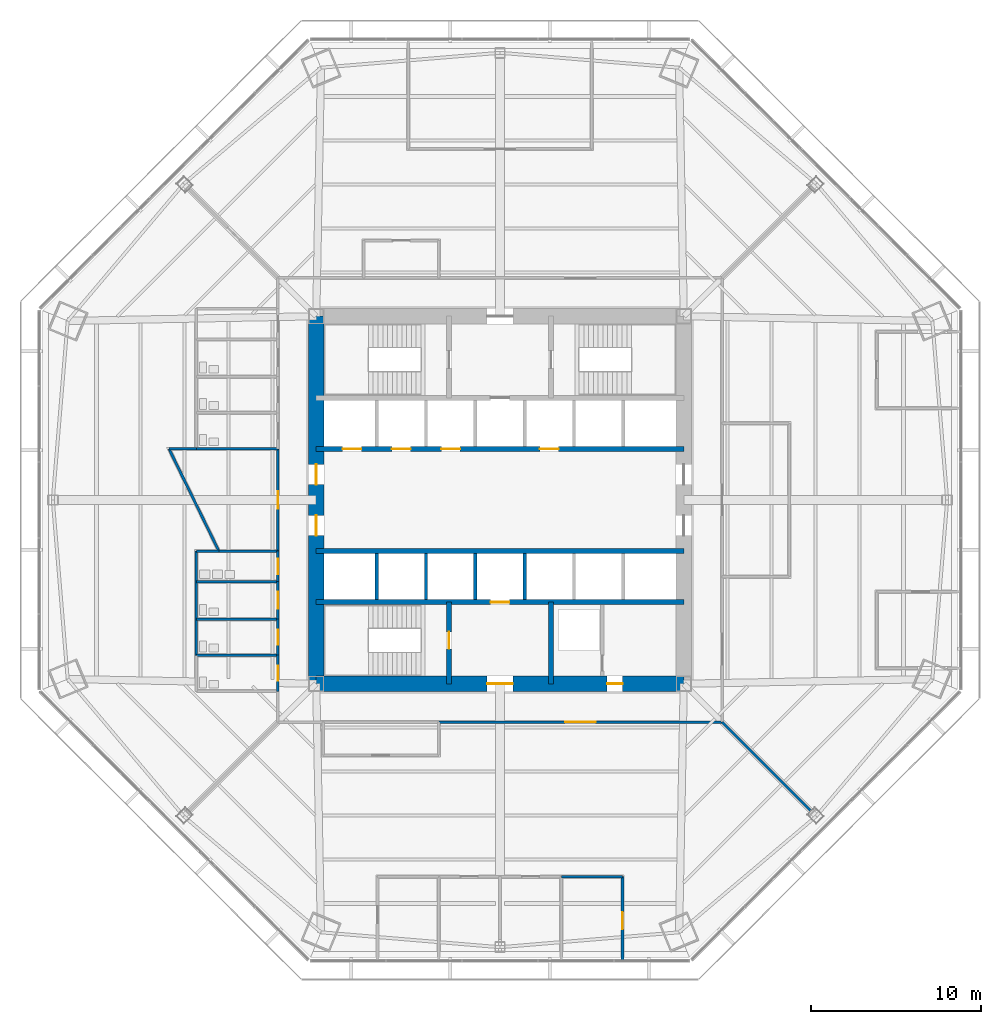
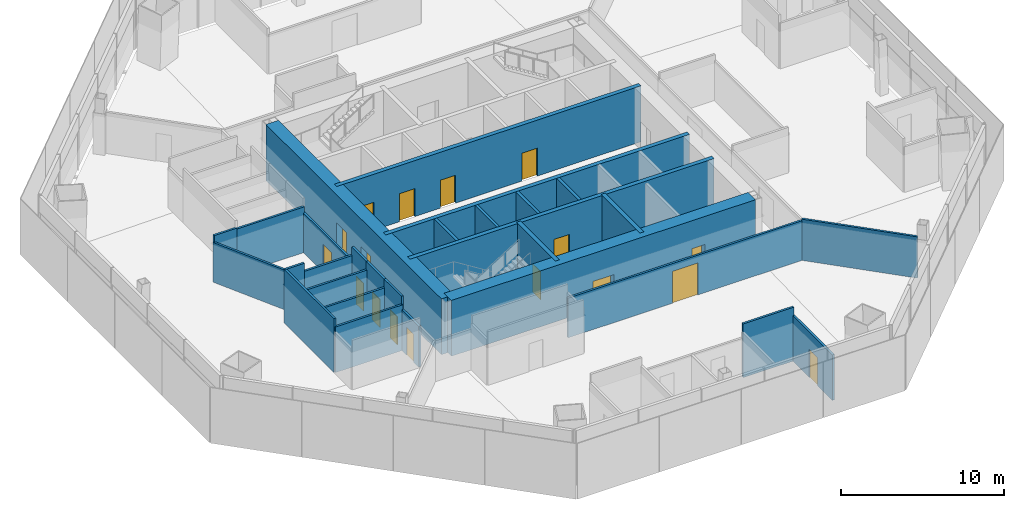
# One storey, part 9 of 14: 29 walls, 17 doors, 17 openings.
"""IFC4 building model written with IfcOpenShell, lengths in metres."""

from ifc_helpers import new_model, si_unit, direction, frame, frame_2d, origin, place, context, subcontext, project, spatial, rectangle, extrude, material, layer, layer_set, type_object, element, fill, save


model = new_model("IFC4")

# Units and contexts
model_context = context("Model", 3, precision=1e-05, world=origin(), true_north=direction((0.0, 1.0)))
body_context = subcontext(model_context, "Body", "Model", "MODEL_VIEW")
ifc_project = project(units=[si_unit("LENGTHUNIT", "METRE"), si_unit("AREAUNIT", "SQUARE_METRE"), si_unit("VOLUMEUNIT", "CUBIC_METRE"), si_unit("PLANEANGLEUNIT", "RADIAN"), si_unit("MASSUNIT", "GRAM", prefix="KILO")], contexts=[model_context])

# Site, building, storey
site_placement = place(None, origin())
site = spatial("IfcSite", under=ifc_project, at=site_placement, CompositionType="ELEMENT")
building_placement = place(site_placement, origin())
building = spatial("IfcBuilding", under=site, at=building_placement, Name="Mashrafa Tower", CompositionType="ELEMENT")
storey_placement = place(building_placement, frame((0.0, 0.0, 33.0)))
storey = spatial("IfcBuildingStorey", under=building, at=storey_placement, Name="L06", CompositionType="ELEMENT", Elevation=33.0)

# Wall, openings, doors
ifc_material_1 = material(Name="Concrete C60/75", Category="concrete")
ifc_layer_1 = layer(ifc_material_1, 0.300048828125)
ifc_layer_set_1 = layer_set([ifc_layer_1], Name="Core wall 300 C60/75")
wall_type_1 = type_object("IfcWallType", Name="Core wall 300 C60/75", PredefinedType="SOLIDWALL", material=ifc_layer_set_1)
wall_1_placement = place(storey_placement, frame((-10.800048828125, 3.0, 0.0), z_axis=(0.0, 0.0, 1.0), x_axis=(1.0, 0.0, 0.0)))
wall_1 = element("IfcWall", 1, at=wall_1_placement, inside=storey, type_object=wall_type_1, Name="Core wall CH-N L06", PredefinedType="SOLIDWALL", context=body_context, shape_type="SweptSolid", body=[
    extrude(rectangle(XDim=21.60009765625, YDim=0.300048828125, at=frame_2d((10.800048828125, 0.0))), origin(), (0.0, 0.0, 1.0), 4.199951171875),
])
opening_1_placement = place(wall_1_placement, frame((1.550048828125, 0.0, 0.0)))
opening_1 = element("IfcOpeningElement", 2, at=opening_1_placement, cuts=wall_1, Name="Opening 06.A1", PredefinedType="OPENING", context=body_context, shape_type="SweptSolid", body=[
    extrude(rectangle(XDim=1.10009765625, YDim=2.10009765625, at=frame_2d((0.550048828125, 1.050048828125))), frame((0.0, 0.159912109375, 0.0), z_axis=(0.0, -1.0, 0.0), x_axis=(1.0, 0.0, 0.0)), (0.0, 0.0, 1.0), 0.320068359375),
])
opening_2_placement = place(wall_1_placement, frame((4.449951171875, 0.0, 0.0)))
opening_2 = element("IfcOpeningElement", 3, at=opening_2_placement, cuts=wall_1, Name="Opening 06.A2", PredefinedType="OPENING", context=body_context, shape_type="SweptSolid", body=[
    extrude(rectangle(XDim=1.10009765625, YDim=2.10009765625, at=frame_2d((0.550048828125, 1.050048828125))), frame((0.0, 0.159912109375, 0.0), z_axis=(0.0, -1.0, 0.0), x_axis=(1.0, 0.0, 0.0)), (0.0, 0.0, 1.0), 0.320068359375),
])
opening_3_placement = place(wall_1_placement, frame((7.35009765625, 0.0, 0.0)))
opening_3 = element("IfcOpeningElement", 4, at=opening_3_placement, cuts=wall_1, Name="Opening 06.A3", PredefinedType="OPENING", context=body_context, shape_type="SweptSolid", body=[
    extrude(rectangle(XDim=1.10009765625, YDim=2.10009765625, at=frame_2d((0.550048828125, 1.050048828125))), frame((0.0, 0.159912109375, 0.0), z_axis=(0.0, -1.0, 0.0), x_axis=(1.0, 0.0, 0.0)), (0.0, 0.0, 1.0), 0.320068359375),
])
opening_4_placement = place(wall_1_placement, frame((13.14990234375, 0.0, 0.0)))
opening_4 = element("IfcOpeningElement", 5, at=opening_4_placement, cuts=wall_1, Name="Opening 06.A4", PredefinedType="OPENING", context=body_context, shape_type="SweptSolid", body=[
    extrude(rectangle(XDim=1.10009765625, YDim=2.10009765625, at=frame_2d((0.550048828125, 1.050048828125))), frame((0.0, 0.159912109375, 0.0), z_axis=(0.0, -1.0, 0.0), x_axis=(1.0, 0.0, 0.0)), (0.0, 0.0, 1.0), 0.320068359375),
])
ifc_material_2 = material(Name="Steel door", Category="steel")
door_type_1 = type_object("IfcDoorType", Name="Lift landing door 1100 x 2100 90 min", OperationType="DOUBLE_DOOR_SLIDING", PredefinedType="DOOR", material=ifc_material_2)
door_1_placement = place(opening_1_placement, origin())
door_1 = element("IfcDoor", 6, at=door_1_placement, inside=storey, type_object=door_type_1, Name="Lift landing door A1 L06", OperationType="DOUBLE_DOOR_SLIDING", OverallHeight=2.10009765625, OverallWidth=1.10009765625, PredefinedType="DOOR", context=body_context, shape_type="SweptSolid", body=[
    extrude(rectangle(XDim=1.10009765625, YDim=2.10009765625, at=frame_2d((0.550048828125, 1.050048828125))), frame((0.0, 0.02490234375, 0.0), z_axis=(0.0, -1.0, 0.0), x_axis=(1.0, 0.0, 0.0)), (0.0, 0.0, 1.0), 0.050048828125),
])
fill(opening_1, door_1)
door_2_placement = place(opening_2_placement, origin())
door_2 = element("IfcDoor", 7, at=door_2_placement, inside=storey, type_object=door_type_1, Name="Lift landing door A2 L06", OperationType="DOUBLE_DOOR_SLIDING", OverallHeight=2.10009765625, OverallWidth=1.10009765625, PredefinedType="DOOR", context=body_context, shape_type="SweptSolid", body=[
    extrude(rectangle(XDim=1.10009765625, YDim=2.10009765625, at=frame_2d((0.550048828125, 1.050048828125))), frame((0.0, 0.02490234375, 0.0), z_axis=(0.0, -1.0, 0.0), x_axis=(1.0, 0.0, 0.0)), (0.0, 0.0, 1.0), 0.050048828125),
])
fill(opening_2, door_2)
door_3_placement = place(opening_3_placement, origin())
door_3 = element("IfcDoor", 8, at=door_3_placement, inside=storey, type_object=door_type_1, Name="Lift landing door A3 L06", OperationType="DOUBLE_DOOR_SLIDING", OverallHeight=2.10009765625, OverallWidth=1.10009765625, PredefinedType="DOOR", context=body_context, shape_type="SweptSolid", body=[
    extrude(rectangle(XDim=1.10009765625, YDim=2.10009765625, at=frame_2d((0.550048828125, 1.050048828125))), frame((0.0, 0.02490234375, 0.0), z_axis=(0.0, -1.0, 0.0), x_axis=(1.0, 0.0, 0.0)), (0.0, 0.0, 1.0), 0.050048828125),
])
fill(opening_3, door_3)
door_4_placement = place(opening_4_placement, origin())
door_4 = element("IfcDoor", 9, at=door_4_placement, inside=storey, type_object=door_type_1, Name="Lift landing door A4 L06", OperationType="DOUBLE_DOOR_SLIDING", OverallHeight=2.10009765625, OverallWidth=1.10009765625, PredefinedType="DOOR", context=body_context, shape_type="SweptSolid", body=[
    extrude(rectangle(XDim=1.10009765625, YDim=2.10009765625, at=frame_2d((0.550048828125, 1.050048828125))), frame((0.0, 0.02490234375, 0.0), z_axis=(0.0, -1.0, 0.0), x_axis=(1.0, 0.0, 0.0)), (0.0, 0.0, 1.0), 0.050048828125),
])
fill(opening_4, door_4)

# Wall
wall_2_placement = place(storey_placement, frame((-10.800048828125, -3.0, 0.0), z_axis=(0.0, 0.0, 1.0), x_axis=(1.0, 0.0, 0.0)))
element("IfcWall", 10, at=wall_2_placement, inside=storey, type_object=wall_type_1, Name="Core wall CH-S L06", PredefinedType="SOLIDWALL", context=body_context, shape_type="SweptSolid", body=[
    extrude(rectangle(XDim=21.60009765625, YDim=0.300048828125, at=frame_2d((10.800048828125, 0.0))), origin(), (0.0, 0.0, 1.0), 4.199951171875),
])

# Wall, opening, door
wall_3_placement = place(storey_placement, frame((-10.800048828125, -6.0, 0.0), z_axis=(0.0, 0.0, 1.0), x_axis=(1.0, 0.0, 0.0)))
wall_3 = element("IfcWall", 11, at=wall_3_placement, inside=storey, type_object=wall_type_1, Name="Core wall CB-S L06", PredefinedType="SOLIDWALL", context=body_context, shape_type="SweptSolid", body=[
    extrude(rectangle(XDim=21.60009765625, YDim=0.300048828125, at=frame_2d((10.800048828125, 0.0))), origin(), (0.0, 0.0, 1.0), 4.199951171875),
])
opening_5_placement = place(wall_3_placement, frame((10.25, 0.0, 0.0)))
opening_5 = element("IfcOpeningElement", 12, at=opening_5_placement, cuts=wall_3, Name="Opening 06.F2", PredefinedType="OPENING", context=body_context, shape_type="SweptSolid", body=[
    extrude(rectangle(XDim=1.10009765625, YDim=2.10009765625, at=frame_2d((0.550048828125, 1.050048828125))), frame((0.0, 0.159912109375, 0.0), z_axis=(0.0, -1.0, 0.0), x_axis=(1.0, 0.0, 0.0)), (0.0, 0.0, 1.0), 0.320068359375),
])
door_5_placement = place(opening_5_placement, origin())
door_5 = element("IfcDoor", 13, at=door_5_placement, inside=storey, type_object=door_type_1, Name="Lift landing door F2 L06", OperationType="DOUBLE_DOOR_SLIDING", OverallHeight=2.10009765625, OverallWidth=1.10009765625, PredefinedType="DOOR", context=body_context, shape_type="SweptSolid", body=[
    extrude(rectangle(XDim=1.10009765625, YDim=2.10009765625, at=frame_2d((0.550048828125, 1.050048828125))), frame((0.0, 0.02490234375, 0.0), z_axis=(0.0, -1.0, 0.0), x_axis=(1.0, 0.0, 0.0)), (0.0, 0.0, 1.0), 0.050048828125),
])
fill(opening_5, door_5)

wall_4_placement = place(storey_placement, frame((-3.0, -6.0, 0.0), z_axis=(0.0, 0.0, 1.0), x_axis=(0.0, -1.0, 0.0)))
wall_4 = element("IfcWall", 14, at=wall_4_placement, inside=storey, type_object=wall_type_1, Name="Core wall CX-SW L06", PredefinedType="SOLIDWALL", context=body_context, shape_type="SweptSolid", body=[
    extrude(rectangle(XDim=4.800048828125, YDim=0.300048828125, at=frame_2d((2.39990234375, 0.0))), origin(), (0.0, 0.0, 1.0), 4.199951171875),
])
opening_6_placement = place(wall_4_placement, frame((1.75, 0.0, 0.0)))
opening_6 = element("IfcOpeningElement", 15, at=opening_6_placement, cuts=wall_4, Name="Opening 06.032", PredefinedType="OPENING", context=body_context, shape_type="SweptSolid", body=[
    extrude(rectangle(XDim=1.0, YDim=2.10009765625, at=frame_2d((0.5, 1.050048828125))), frame((0.0, 0.159912109375, 0.0), z_axis=(0.0, -1.0, 0.0), x_axis=(1.0, 0.0, 0.0)), (0.0, 0.0, 1.0), 0.320068359375),
])
ifc_material_3 = material(Name="Steel door", Category="steel")
door_type_2 = type_object("IfcDoorType", Name="Stair door 1000 x 2100 90 min", OperationType="USERDEFINED", PredefinedType="DOOR", material=ifc_material_3)
door_6_placement = place(opening_6_placement, frame((1.0, 0.0, 0.0), z_axis=(0.0, 0.0, 1.0), x_axis=(-1.0, 0.0, 0.0)))
door_6 = element("IfcDoor", 16, at=door_6_placement, inside=storey, type_object=door_type_2, Name="Stair S3 door L06", OperationType="SINGLE_SWING_RIGHT", OverallHeight=2.10009765625, OverallWidth=1.0, PredefinedType="DOOR", context=body_context, shape_type="SweptSolid", body=[
    extrude(rectangle(XDim=1.0, YDim=2.10009765625, at=frame_2d((0.5, 1.050048828125))), frame((0.0, 0.02490234375, 0.0), z_axis=(0.0, -1.0, 0.0), x_axis=(1.0, 0.0, 0.0)), (0.0, 0.0, 1.0), 0.050048828125),
])
fill(opening_6, door_6)

# Wall
wall_5_placement = place(storey_placement, frame((3.0, -6.0, 0.0), z_axis=(0.0, 0.0, 1.0), x_axis=(0.0, -1.0, 0.0)))
element("IfcWall", 17, at=wall_5_placement, inside=storey, type_object=wall_type_1, Name="Core wall CX-SE L06", PredefinedType="SOLIDWALL", context=body_context, shape_type="SweptSolid", body=[
    extrude(rectangle(XDim=4.800048828125, YDim=0.300048828125, at=frame_2d((2.39990234375, 0.0))), origin(), (0.0, 0.0, 1.0), 4.199951171875),
])

# Wall, openings, doors
ifc_material_4 = material(Name="Concrete C60/75", Category="concrete")
ifc_layer_2 = layer(ifc_material_4, 0.89990234375)
ifc_layer_set_2 = layer_set([ifc_layer_2], Name="Core wall 900 C60/75")
wall_type_2 = type_object("IfcWallType", Name="Core wall 900 C60/75", PredefinedType="SOLIDWALL", material=ifc_layer_set_2)
wall_6_placement = place(storey_placement, frame((-10.800048828125, -10.800048828125, 0.0), z_axis=(0.0, 0.0, 1.0), x_axis=(1.0, 0.0, 0.0)))
wall_6 = element("IfcWall", 18, at=wall_6_placement, inside=storey, type_object=wall_type_2, Name="Core wall CW-S L06", PredefinedType="SOLIDWALL", context=body_context, shape_type="SweptSolid", body=[
    extrude(rectangle(XDim=21.60009765625, YDim=0.89990234375, at=frame_2d((10.800048828125, 0.0))), origin(), (0.0, 0.0, 1.0), 4.199951171875),
])
opening_7_placement = place(wall_6_placement, frame((10.050048828125, 0.0, 0.0)))
opening_7 = element("IfcOpeningElement", 19, at=opening_7_placement, cuts=wall_6, Name="Opening 06.029", PredefinedType="OPENING", context=body_context, shape_type="SweptSolid", body=[
    extrude(rectangle(XDim=1.5, YDim=2.10009765625, at=frame_2d((0.75, 1.050048828125))), frame((0.0, 0.4599609375, 0.0), z_axis=(0.0, -1.0, 0.0), x_axis=(1.0, 0.0, 0.0)), (0.0, 0.0, 1.0), 0.919921875),
])
opening_8_placement = place(wall_6_placement, frame((17.10009765625, 0.0, 0.0)))
opening_8 = element("IfcOpeningElement", 20, at=opening_8_placement, cuts=wall_6, Name="Opening 06.033", PredefinedType="OPENING", context=body_context, shape_type="SweptSolid", body=[
    extrude(rectangle(XDim=0.89990234375, YDim=2.10009765625, at=frame_2d((0.449951171875, 1.050048828125))), frame((0.0, 0.4599609375, 0.0), z_axis=(0.0, -1.0, 0.0), x_axis=(1.0, 0.0, 0.0)), (0.0, 0.0, 1.0), 0.919921875),
])
ifc_material_5 = material(Name="Steel door", Category="steel")
door_type_3 = type_object("IfcDoorType", Name="Lobby door pair 1500 x 2100 90 min", OperationType="DOUBLE_DOOR_SINGLE_SWING", PredefinedType="DOOR", material=ifc_material_5)
door_7_placement = place(opening_7_placement, origin())
door_7 = element("IfcDoor", 21, at=door_7_placement, inside=storey, type_object=door_type_3, Name="Fire-fighting lobby F2 door L06", OperationType="DOUBLE_DOOR_SINGLE_SWING", OverallHeight=2.10009765625, OverallWidth=1.5, PredefinedType="DOOR", context=body_context, shape_type="SweptSolid", body=[
    extrude(rectangle(XDim=1.5, YDim=2.10009765625, at=frame_2d((0.75, 1.050048828125))), frame((0.0, 0.02490234375, 0.0), z_axis=(0.0, -1.0, 0.0), x_axis=(1.0, 0.0, 0.0)), (0.0, 0.0, 1.0), 0.050048828125),
])
fill(opening_7, door_7)
ifc_material_6 = material(Name="Steel door", Category="steel")
door_type_4 = type_object("IfcDoorType", Name="Service door 900 x 2100 90 min", OperationType="USERDEFINED", PredefinedType="DOOR", material=ifc_material_6)
door_8_placement = place(opening_8_placement, origin())
door_8 = element("IfcDoor", 22, at=door_8_placement, inside=storey, type_object=door_type_4, Name="Communications Room L06 door", OperationType="SINGLE_SWING_LEFT", OverallHeight=2.10009765625, OverallWidth=0.89990234375, PredefinedType="DOOR", context=body_context, shape_type="SweptSolid", body=[
    extrude(rectangle(XDim=0.89990234375, YDim=2.10009765625, at=frame_2d((0.449951171875, 1.050048828125))), frame((0.0, 0.02490234375, 0.0), z_axis=(0.0, -1.0, 0.0), x_axis=(1.0, 0.0, 0.0)), (0.0, 0.0, 1.0), 0.050048828125),
])
fill(opening_8, door_8)

wall_7_placement = place(storey_placement, frame((-10.800048828125, 10.800048828125, 0.0), z_axis=(0.0, 0.0, 1.0), x_axis=(0.0, -1.0, 0.0)))
wall_7 = element("IfcWall", 23, at=wall_7_placement, inside=storey, type_object=wall_type_2, Name="Core wall CW-W L06", PredefinedType="SOLIDWALL", context=body_context, shape_type="SweptSolid", body=[
    extrude(rectangle(XDim=21.60009765625, YDim=0.89990234375, at=frame_2d((10.800048828125, 0.0))), origin(), (0.0, 0.0, 1.0), 4.199951171875),
])
opening_9_placement = place(wall_7_placement, frame((8.699951171875, 0.0, 0.0)))
opening_9 = element("IfcOpeningElement", 24, at=opening_9_placement, cuts=wall_7, Name="Opening 06.025", PredefinedType="OPENING", context=body_context, shape_type="SweptSolid", body=[
    extrude(rectangle(XDim=1.199951171875, YDim=2.10009765625, at=frame_2d((0.60009765625, 1.050048828125))), frame((0.0, 0.4599609375, 0.0), z_axis=(0.0, -1.0, 0.0), x_axis=(1.0, 0.0, 0.0)), (0.0, 0.0, 1.0), 0.919921875),
])
opening_10_placement = place(wall_7_placement, frame((11.699951171875, 0.0, 0.0)))
opening_10 = element("IfcOpeningElement", 25, at=opening_10_placement, cuts=wall_7, Name="Opening 06.027", PredefinedType="OPENING", context=body_context, shape_type="SweptSolid", body=[
    extrude(rectangle(XDim=1.199951171875, YDim=2.10009765625, at=frame_2d((0.60009765625, 1.050048828125))), frame((0.0, 0.4599609375, 0.0), z_axis=(0.0, -1.0, 0.0), x_axis=(1.0, 0.0, 0.0)), (0.0, 0.0, 1.0), 0.919921875),
])
ifc_material_7 = material(Name="Steel door", Category="steel")
door_type_5 = type_object("IfcDoorType", Name="Lift hall door 1200 x 2100 90 min", OperationType="USERDEFINED", PredefinedType="DOOR", material=ifc_material_7)
door_9_placement = place(opening_9_placement, frame((1.199951171875, 0.0, 0.0), z_axis=(0.0, 0.0, 1.0), x_axis=(-1.0, 0.0, 0.0)))
door_9 = element("IfcDoor", 26, at=door_9_placement, inside=storey, type_object=door_type_5, Name="Lift hall door west L06", OperationType="SINGLE_SWING_RIGHT", OverallHeight=2.10009765625, OverallWidth=1.199951171875, PredefinedType="DOOR", context=body_context, shape_type="SweptSolid", body=[
    extrude(rectangle(XDim=1.199951171875, YDim=2.10009765625, at=frame_2d((0.60009765625, 1.050048828125))), frame((0.0, 0.02490234375, 0.0), z_axis=(0.0, -1.0, 0.0), x_axis=(1.0, 0.0, 0.0)), (0.0, 0.0, 1.0), 0.050048828125),
])
fill(opening_9, door_9)
door_10_placement = place(opening_10_placement, frame((1.199951171875, 0.0, 0.0), z_axis=(0.0, 0.0, 1.0), x_axis=(-1.0, 0.0, 0.0)))
door_10 = element("IfcDoor", 27, at=door_10_placement, inside=storey, type_object=door_type_5, Name="Lift hall door west L06", OperationType="SINGLE_SWING_LEFT", OverallHeight=2.10009765625, OverallWidth=1.199951171875, PredefinedType="DOOR", context=body_context, shape_type="SweptSolid", body=[
    extrude(rectangle(XDim=1.199951171875, YDim=2.10009765625, at=frame_2d((0.60009765625, 1.050048828125))), frame((0.0, 0.02490234375, 0.0), z_axis=(0.0, -1.0, 0.0), x_axis=(1.0, 0.0, 0.0)), (0.0, 0.0, 1.0), 0.050048828125),
])
fill(opening_10, door_10)

# Wall, opening, door
ifc_material_8 = material(Name="Gypsum board on steel studs", Category="steel")
ifc_layer_3 = layer(ifc_material_8, 0.14990234375)
ifc_layer_set_3 = layer_set([ifc_layer_3], Name="Corridor partition 150 1 hr")
wall_type_3 = type_object("IfcWallType", Name="Corridor partition 150 1 hr", PredefinedType="PARTITIONING", material=ifc_layer_set_3)
wall_8_placement = place(storey_placement, frame((-13.050048828125, -9.1240234375, 0.0), z_axis=(0.0, 0.0, 1.0), x_axis=(0.0, -1.0, 0.0)))
wall_8 = element("IfcWall", 28, at=wall_8_placement, inside=storey, type_object=wall_type_3, Name="Corridor wall L06-005", PredefinedType="PARTITIONING", context=body_context, shape_type="SweptSolid", body=[
    extrude(rectangle(XDim=2.126953125, YDim=0.14990234375, at=frame_2d((1.0634765625, 0.0))), origin(), (0.0, 0.0, 1.0), 3.06494140625),
])
opening_11_placement = place(wall_8_placement, frame((0.613525390625, 0.0, 0.0)))
opening_11 = element("IfcOpeningElement", 29, at=opening_11_placement, cuts=wall_8, Name="Opening 06.005", PredefinedType="OPENING", context=body_context, shape_type="SweptSolid", body=[
    extrude(rectangle(XDim=0.89990234375, YDim=2.10009765625, at=frame_2d((0.449951171875, 1.050048828125))), frame((0.0, 0.0849609375, 0.0), z_axis=(0.0, -1.0, 0.0), x_axis=(1.0, 0.0, 0.0)), (0.0, 0.0, 1.0), 0.169921875),
])
ifc_material_9 = material(Name="Timber door", Category="wood")
door_type_6 = type_object("IfcDoorType", Name="Toilet door 900 x 2100", OperationType="USERDEFINED", PredefinedType="DOOR", material=ifc_material_9)
door_11_placement = place(opening_11_placement, frame((0.89990234375, 0.0, 0.0), z_axis=(0.0, 0.0, 1.0), x_axis=(-1.0, 0.0, 0.0)))
door_11 = element("IfcDoor", 30, at=door_11_placement, inside=storey, type_object=door_type_6, Name="WC Female L06 S door", OperationType="SINGLE_SWING_RIGHT", OverallHeight=2.10009765625, OverallWidth=0.89990234375, PredefinedType="DOOR", context=body_context, shape_type="SweptSolid", body=[
    extrude(rectangle(XDim=0.89990234375, YDim=2.10009765625, at=frame_2d((0.449951171875, 1.050048828125))), frame((0.0, 0.02490234375, 0.0), z_axis=(0.0, -1.0, 0.0), x_axis=(1.0, 0.0, 0.0)), (0.0, 0.0, 1.0), 0.050048828125),
])
fill(opening_11, door_11)

wall_9_placement = place(storey_placement, frame((-13.050048828125, -6.9990234375, 0.0), z_axis=(0.0, 0.0, 1.0), x_axis=(0.0, -1.0, 0.0)))
wall_9 = element("IfcWall", 31, at=wall_9_placement, inside=storey, type_object=wall_type_3, Name="Corridor wall L06-006", PredefinedType="PARTITIONING", context=body_context, shape_type="SweptSolid", body=[
    extrude(rectangle(XDim=2.126953125, YDim=0.14990234375, at=frame_2d((1.0634765625, 0.0))), origin(), (0.0, 0.0, 1.0), 4.034912109375),
])
opening_12_placement = place(wall_9_placement, frame((0.613525390625, 0.0, 0.0)))
opening_12 = element("IfcOpeningElement", 32, at=opening_12_placement, cuts=wall_9, Name="Opening 06.006", PredefinedType="OPENING", context=body_context, shape_type="SweptSolid", body=[
    extrude(rectangle(XDim=0.89990234375, YDim=2.10009765625, at=frame_2d((0.449951171875, 1.050048828125))), frame((0.0, 0.0849609375, 0.0), z_axis=(0.0, -1.0, 0.0), x_axis=(1.0, 0.0, 0.0)), (0.0, 0.0, 1.0), 0.169921875),
])
door_12_placement = place(opening_12_placement, frame((0.89990234375, 0.0, 0.0), z_axis=(0.0, 0.0, 1.0), x_axis=(-1.0, 0.0, 0.0)))
door_12 = element("IfcDoor", 33, at=door_12_placement, inside=storey, type_object=door_type_6, Name="WC Male L06 S door", OperationType="SINGLE_SWING_RIGHT", OverallHeight=2.10009765625, OverallWidth=0.89990234375, PredefinedType="DOOR", context=body_context, shape_type="SweptSolid", body=[
    extrude(rectangle(XDim=0.89990234375, YDim=2.10009765625, at=frame_2d((0.449951171875, 1.050048828125))), frame((0.0, 0.02490234375, 0.0), z_axis=(0.0, -1.0, 0.0), x_axis=(1.0, 0.0, 0.0)), (0.0, 0.0, 1.0), 0.050048828125),
])
fill(opening_12, door_12)

wall_10_placement = place(storey_placement, frame((-13.050048828125, -4.799072265625, 0.0), z_axis=(0.0, 0.0, 1.0), x_axis=(0.0, -1.0, 0.0)))
wall_10 = element("IfcWall", 34, at=wall_10_placement, inside=storey, type_object=wall_type_3, Name="Corridor wall L06-007", PredefinedType="PARTITIONING", context=body_context, shape_type="SweptSolid", body=[
    extrude(rectangle(XDim=2.201904296875, YDim=0.14990234375, at=frame_2d((1.10107421875, 0.0))), origin(), (0.0, 0.0, 1.0), 4.034912109375),
])
opening_13_placement = place(wall_10_placement, frame((0.60107421875, 0.0, 0.0)))
opening_13 = element("IfcOpeningElement", 35, at=opening_13_placement, cuts=wall_10, Name="Opening 06.007", PredefinedType="OPENING", context=body_context, shape_type="SweptSolid", body=[
    extrude(rectangle(XDim=1.0, YDim=2.10009765625, at=frame_2d((0.5, 1.050048828125))), frame((0.0, 0.0849609375, 0.0), z_axis=(0.0, -1.0, 0.0), x_axis=(1.0, 0.0, 0.0)), (0.0, 0.0, 1.0), 0.169921875),
])
ifc_material_10 = material(Name="Timber door", Category="wood")
door_type_7 = type_object("IfcDoorType", Name="Accessible toilet door 1000 x 2100", OperationType="USERDEFINED", PredefinedType="DOOR", material=ifc_material_10)
door_13_placement = place(opening_13_placement, frame((1.0, 0.0, 0.0), z_axis=(0.0, 0.0, 1.0), x_axis=(-1.0, 0.0, 0.0)))
door_13 = element("IfcDoor", 36, at=door_13_placement, inside=storey, type_object=door_type_7, Name="Accessible WC L06 S door", OperationType="SINGLE_SWING_LEFT", OverallHeight=2.10009765625, OverallWidth=1.0, PredefinedType="DOOR", context=body_context, shape_type="SweptSolid", body=[
    extrude(rectangle(XDim=1.0, YDim=2.10009765625, at=frame_2d((0.5, 1.050048828125))), frame((0.0, 0.02490234375, 0.0), z_axis=(0.0, -1.0, 0.0), x_axis=(1.0, 0.0, 0.0)), (0.0, 0.0, 1.0), 0.050048828125),
])
fill(opening_13, door_13)

wall_11_placement = place(storey_placement, frame((-13.050048828125, -2.9990234375, 0.0), z_axis=(0.0, 0.0, 1.0), x_axis=(0.0, -1.0, 0.0)))
wall_11 = element("IfcWall", 37, at=wall_11_placement, inside=storey, type_object=wall_type_3, Name="Corridor wall L06-008", PredefinedType="PARTITIONING", context=body_context, shape_type="SweptSolid", body=[
    extrude(rectangle(XDim=1.802001953125, YDim=0.14990234375, at=frame_2d((0.90087890625, 0.0))), origin(), (0.0, 0.0, 1.0), 4.034912109375),
])
opening_14_placement = place(wall_11_placement, frame((0.450927734375, 0.0, 0.0)))
opening_14 = element("IfcOpeningElement", 38, at=opening_14_placement, cuts=wall_11, Name="Opening 06.008", PredefinedType="OPENING", context=body_context, shape_type="SweptSolid", body=[
    extrude(rectangle(XDim=0.89990234375, YDim=2.10009765625, at=frame_2d((0.449951171875, 1.050048828125))), frame((0.0, 0.0849609375, 0.0), z_axis=(0.0, -1.0, 0.0), x_axis=(1.0, 0.0, 0.0)), (0.0, 0.0, 1.0), 0.169921875),
])
door_14_placement = place(opening_14_placement, frame((0.89990234375, 0.0, 0.0), z_axis=(0.0, 0.0, 1.0), x_axis=(-1.0, 0.0, 0.0)))
door_14 = element("IfcDoor", 39, at=door_14_placement, inside=storey, type_object=door_type_6, Name="Ablution Room L06 S door", OperationType="SINGLE_SWING_RIGHT", OverallHeight=2.10009765625, OverallWidth=0.89990234375, PredefinedType="DOOR", context=body_context, shape_type="SweptSolid", body=[
    extrude(rectangle(XDim=0.89990234375, YDim=2.10009765625, at=frame_2d((0.449951171875, 1.050048828125))), frame((0.0, 0.02490234375, 0.0), z_axis=(0.0, -1.0, 0.0), x_axis=(1.0, 0.0, 0.0)), (0.0, 0.0, 1.0), 0.050048828125),
])
fill(opening_14, door_14)

wall_12_placement = place(storey_placement, frame((-13.050048828125, 3.0009765625, 0.0), z_axis=(0.0, 0.0, 1.0), x_axis=(0.0, -1.0, 0.0)))
wall_12 = element("IfcWall", 40, at=wall_12_placement, inside=storey, type_object=wall_type_3, Name="Corridor wall L06-009", PredefinedType="PARTITIONING", context=body_context, shape_type="SweptSolid", body=[
    extrude(rectangle(XDim=6.001953125, YDim=0.14990234375, at=frame_2d((3.0009765625, 0.0))), origin(), (0.0, 0.0, 1.0), 2.983642578125),
])
opening_15_placement = place(wall_12_placement, frame((2.5009765625, 0.0, 0.0)))
opening_15 = element("IfcOpeningElement", 41, at=opening_15_placement, cuts=wall_12, Name="Opening 06.009", PredefinedType="OPENING", context=body_context, shape_type="SweptSolid", body=[
    extrude(rectangle(XDim=1.0, YDim=2.10009765625, at=frame_2d((0.5, 1.050048828125))), frame((0.0, 0.0849609375, 0.0), z_axis=(0.0, -1.0, 0.0), x_axis=(1.0, 0.0, 0.0)), (0.0, 0.0, 1.0), 0.169921875),
])
ifc_material_11 = material(Name="Timber door", Category="wood")
door_type_8 = type_object("IfcDoorType", Name="Door 1000 x 2100", OperationType="USERDEFINED", PredefinedType="DOOR", material=ifc_material_11)
door_15_placement = place(opening_15_placement, frame((1.0, 0.0, 0.0), z_axis=(0.0, 0.0, 1.0), x_axis=(-1.0, 0.0, 0.0)))
door_15 = element("IfcDoor", 42, at=door_15_placement, inside=storey, type_object=door_type_8, Name="Musallah Prayer Room 06 door", OperationType="SINGLE_SWING_LEFT", OverallHeight=2.10009765625, OverallWidth=1.0, PredefinedType="DOOR", context=body_context, shape_type="SweptSolid", body=[
    extrude(rectangle(XDim=1.0, YDim=2.10009765625, at=frame_2d((0.5, 1.050048828125))), frame((0.0, 0.02490234375, 0.0), z_axis=(0.0, -1.0, 0.0), x_axis=(1.0, 0.0, 0.0)), (0.0, 0.0, 1.0), 0.050048828125),
])
fill(opening_15, door_15)

wall_13_placement = place(storey_placement, frame((-3.60107421875, -13.050048828125, 0.0), z_axis=(0.0, 0.0, 1.0), x_axis=(1.0, 0.0, 0.0)))
wall_13 = element("IfcWall", 43, at=wall_13_placement, inside=storey, type_object=wall_type_3, Name="Corridor wall L06-018", PredefinedType="PARTITIONING", context=body_context, shape_type="SweptSolid", body=[
    extrude(rectangle(XDim=16.651123046875, YDim=0.14990234375, at=frame_2d((8.32568359375, 0.0))), origin(), (0.0, 0.0, 1.0), 2.983642578125),
])
opening_16_placement = place(wall_13_placement, frame((7.425537109375, 0.0, 0.0)))
opening_16 = element("IfcOpeningElement", 44, at=opening_16_placement, cuts=wall_13, Name="Opening 06.022", PredefinedType="OPENING", context=body_context, shape_type="SweptSolid", body=[
    extrude(rectangle(XDim=1.800048828125, YDim=2.39990234375, at=frame_2d((0.89990234375, 1.199951171875))), frame((0.0, 0.0849609375, 0.0), z_axis=(0.0, -1.0, 0.0), x_axis=(1.0, 0.0, 0.0)), (0.0, 0.0, 1.0), 0.169921875),
])
ifc_material_12 = material(Name="Timber door", Category="wood")
door_type_9 = type_object("IfcDoorType", Name="Door pair 1800 x 2400", OperationType="DOUBLE_DOOR_SINGLE_SWING", PredefinedType="DOOR", material=ifc_material_12)
door_16_placement = place(opening_16_placement, frame((1.800048828125, 0.0, 0.0), z_axis=(0.0, 0.0, 1.0), x_axis=(-1.0, 0.0, 0.0)))
door_16 = element("IfcDoor", 45, at=door_16_placement, inside=storey, type_object=door_type_9, Name="Treasury Operations Office 06 door", OperationType="DOUBLE_DOOR_SINGLE_SWING", OverallHeight=2.39990234375, OverallWidth=1.800048828125, PredefinedType="DOOR", context=body_context, shape_type="SweptSolid", body=[
    extrude(rectangle(XDim=1.800048828125, YDim=2.39990234375, at=frame_2d((0.89990234375, 1.199951171875))), frame((0.0, 0.02490234375, 0.0), z_axis=(0.0, -1.0, 0.0), x_axis=(1.0, 0.0, 0.0)), (0.0, 0.0, 1.0), 0.050048828125),
])
fill(opening_16, door_16)

# Walls
ifc_material_13 = material(Name="Gypsum board on steel studs", Category="steel")
ifc_layer_4 = layer(ifc_material_13, 0.14990234375)
ifc_layer_set_4 = layer_set([ifc_layer_4], Name="Partition 150")
wall_type_4 = type_object("IfcWallType", Name="Partition 150", PredefinedType="PARTITIONING", material=ifc_layer_set_4)
for number, where, z_axis, x_axis, name in (
    (46, (-17.85009765625, 3.0, 0.0), (0.0, 0.0, 1.0), (1.0, 0.0, 0.0), "Partition wall L06-022"),
    (47, (-13.050048828125, -9.125, 0.0), (0.0, 0.0, 1.0), (-1.0, 0.0, 0.0), "Partition wall L06-030"),
    (48, (-13.050048828125, -7.0, 0.0), (0.0, 0.0, 1.0), (-1.0, 0.0, 0.0), "Partition wall L06-033"),
):
    element("IfcWall", number, at=place(storey_placement, frame(where, z_axis=z_axis, x_axis=x_axis)), inside=storey, type_object=wall_type_4, Name=name, PredefinedType="PARTITIONING", context=body_context, shape_type="SweptSolid", body=[
        extrude(rectangle(XDim=4.800048828125, YDim=0.14990234375, at=frame_2d((2.39990234375, 0.0))), origin(), (0.0, 0.0, 1.0), 3.425537109375),
    ])
wall_14_placement = place(storey_placement, frame((-17.85009765625, -9.125, 0.0), z_axis=(0.0, 0.0, 1.0), x_axis=(0.0, 1.0, 0.0)))
element("IfcWall", 49, at=wall_14_placement, inside=storey, type_object=wall_type_4, Name="Partition wall L06-034", PredefinedType="PARTITIONING", context=body_context, shape_type="SweptSolid", body=[
    extrude(rectangle(XDim=6.125, YDim=0.14990234375, at=frame_2d((3.0625, 0.0))), origin(), (0.0, 0.0, 1.0), 4.034912109375),
])
wall_15_placement = place(storey_placement, frame((-13.050048828125, -4.800048828125, 0.0), z_axis=(0.0, 0.0, 1.0), x_axis=(-1.0, 0.0, 0.0)))
element("IfcWall", 50, at=wall_15_placement, inside=storey, type_object=wall_type_4, Name="Partition wall L06-035", PredefinedType="PARTITIONING", context=body_context, shape_type="SweptSolid", body=[
    extrude(rectangle(XDim=4.800048828125, YDim=0.14990234375, at=frame_2d((2.39990234375, 0.0))), origin(), (0.0, 0.0, 1.0), 3.425537109375),
])
wall_16_placement = place(storey_placement, frame((-13.050048828125, -3.0, 0.0), z_axis=(0.0, 0.0, 1.0), x_axis=(-1.0, 0.0, 0.0)))
element("IfcWall", 51, at=wall_16_placement, inside=storey, type_object=wall_type_4, Name="Partition wall L06-037", PredefinedType="PARTITIONING", context=body_context, shape_type="SweptSolid", body=[
    extrude(rectangle(XDim=3.474609375, YDim=0.14990234375, at=frame_2d((1.7373046875, 0.0))), origin(), (0.0, 0.0, 1.0), 3.425537109375),
])
wall_17_placement = place(storey_placement, frame((-16.5224609375, -3.0, 0.0), z_axis=(0.0, 0.0, 1.0), x_axis=(-1.0, 0.0, 0.0)))
element("IfcWall", 52, at=wall_17_placement, inside=storey, type_object=wall_type_4, Name="Partition wall L06-038", PredefinedType="PARTITIONING", context=body_context, shape_type="SweptSolid", body=[
    extrude(rectangle(XDim=1.32763671875, YDim=0.14990234375, at=frame_2d((0.663818359375, 0.0))), origin(), (0.0, 0.0, 1.0), 4.034912109375),
])
wall_18_placement = place(storey_placement, frame((-17.84912109375, 3.0, 0.0), z_axis=(0.0, 0.0, 1.0), x_axis=(-1.0, 0.0, 0.0)))
element("IfcWall", 53, at=wall_18_placement, inside=storey, type_object=wall_type_4, Name="Partition wall L06-040", PredefinedType="PARTITIONING", context=body_context, shape_type="SweptSolid", body=[
    extrude(rectangle(XDim=1.600830078125, YDim=0.14990234375, at=frame_2d((0.80029296875, 0.0))), origin(), (0.0, 0.0, 1.0), 3.49658203125),
])
wall_19_placement = place(storey_placement, frame((-19.449951171875, 3.0, 0.0), z_axis=(0.0, 0.0, 1.0), x_axis=(0.43835589904, -0.898801482963, 0.0)))
element("IfcWall", 54, at=wall_19_placement, inside=storey, type_object=wall_type_4, Name="Partition wall L06-041", PredefinedType="PARTITIONING", context=body_context, shape_type="SweptSolid", body=[
    extrude(rectangle(XDim=6.675537109375, YDim=0.14990234375, at=frame_2d((3.337890625, 0.0))), origin(), (0.0, 0.0, 1.0), 2.983642578125),
])

# Wall, opening, door
wall_20_placement = place(storey_placement, frame((7.199951171875, -27.065185546875, 0.0), z_axis=(0.0, 0.0, 1.0), x_axis=(0.0, 1.0, 0.0)))
wall_20 = element("IfcWall", 55, at=wall_20_placement, inside=storey, type_object=wall_type_4, Name="Partition wall L06-061", PredefinedType="PARTITIONING", context=body_context, shape_type="SweptSolid", body=[
    extrude(rectangle(XDim=4.93408203125, YDim=0.14990234375, at=frame_2d((2.467041015625, 0.0))), origin(), (0.0, 0.0, 1.0), 3.423095703125),
])
opening_17_placement = place(wall_20_placement, frame((1.84912109375, 0.0, 0.0)))
opening_17 = element("IfcOpeningElement", 56, at=opening_17_placement, cuts=wall_20, Name="Opening 06.017", PredefinedType="OPENING", context=body_context, shape_type="SweptSolid", body=[
    extrude(rectangle(XDim=1.0, YDim=2.10009765625, at=frame_2d((0.5, 1.050048828125))), frame((0.0, 0.0849609375, 0.0), z_axis=(0.0, -1.0, 0.0), x_axis=(1.0, 0.0, 0.0)), (0.0, 0.0, 1.0), 0.169921875),
])
door_17_placement = place(opening_17_placement, origin())
door_17 = element("IfcDoor", 57, at=door_17_placement, inside=storey, type_object=door_type_8, Name="Executive Office 06-4 door", OperationType="SINGLE_SWING_LEFT", OverallHeight=2.10009765625, OverallWidth=1.0, PredefinedType="DOOR", context=body_context, shape_type="SweptSolid", body=[
    extrude(rectangle(XDim=1.0, YDim=2.10009765625, at=frame_2d((0.5, 1.050048828125))), frame((0.0, 0.02490234375, 0.0), z_axis=(0.0, -1.0, 0.0), x_axis=(1.0, 0.0, 0.0)), (0.0, 0.0, 1.0), 0.050048828125),
])
fill(opening_17, door_17)

# Walls
wall_21_placement = place(storey_placement, frame((7.199951171875, -22.131103515625, 0.0), z_axis=(0.0, 0.0, 1.0), x_axis=(-1.0, 0.0, 0.0)))
element("IfcWall", 58, at=wall_21_placement, inside=storey, type_object=wall_type_4, Name="Partition wall L06-062", PredefinedType="PARTITIONING", context=body_context, shape_type="SweptSolid", body=[
    extrude(rectangle(XDim=3.599853515625, YDim=0.14990234375, at=frame_2d((1.7998046875, 0.0))), origin(), (0.0, 0.0, 1.0), 4.034912109375),
])
wall_22_placement = place(storey_placement, frame((13.050048828125, -13.050048828125, 0.0), z_axis=(0.0, 0.0, 1.0), x_axis=(0.707106781187, -0.707106781187, 0.0)))
element("IfcWall", 59, at=wall_22_placement, inside=storey, type_object=wall_type_4, Name="Partition wall L06-073", PredefinedType="PARTITIONING", context=body_context, shape_type="SweptSolid", body=[
    extrude(rectangle(XDim=7.3876953125, YDim=0.14990234375, at=frame_2d((3.69384765625, 0.0))), origin(), (0.0, 0.0, 1.0), 3.097900390625),
])
ifc_material_14 = material(Name="Gypsum shaft wall on steel studs", Category="steel")
ifc_layer_5 = layer(ifc_material_14, 0.199951171875)
ifc_layer_set_5 = layer_set([ifc_layer_5], Name="Shaft divider wall 200 2 hr")
wall_type_5 = type_object("IfcWallType", Name="Shaft divider wall 200 2 hr", PredefinedType="PARTITIONING", material=ifc_layer_set_5)
for number, where, z_axis, x_axis, name in (
    (60, (-7.25, -5.85009765625, 0.0), (0.0, 0.0, 1.0), (0.0, 1.0, 0.0), "Shaft divider wall S1 L06"),
    (61, (-4.35009765625, -5.85009765625, 0.0), (0.0, 0.0, 1.0), (0.0, 1.0, 0.0), "Shaft divider wall S2 L06"),
    (62, (-1.449951171875, -5.85009765625, 0.0), (0.0, 0.0, 1.0), (0.0, 1.0, 0.0), "Shaft divider wall S3 L06"),
    (63, (1.449951171875, -5.85009765625, 0.0), (0.0, 0.0, 1.0), (0.0, 1.0, 0.0), "Shaft divider wall S4 L06"),
):
    element("IfcWall", number, at=place(storey_placement, frame(where, z_axis=z_axis, x_axis=x_axis)), inside=storey, type_object=wall_type_5, Name=name, PredefinedType="PARTITIONING", context=body_context, shape_type="SweptSolid", body=[
        extrude(rectangle(XDim=2.7001953125, YDim=0.199951171875, at=frame_2d((1.35009765625, 0.0))), origin(), (0.0, 0.0, 1.0), 4.199951171875),
    ])

save(model, "model.ifc")
